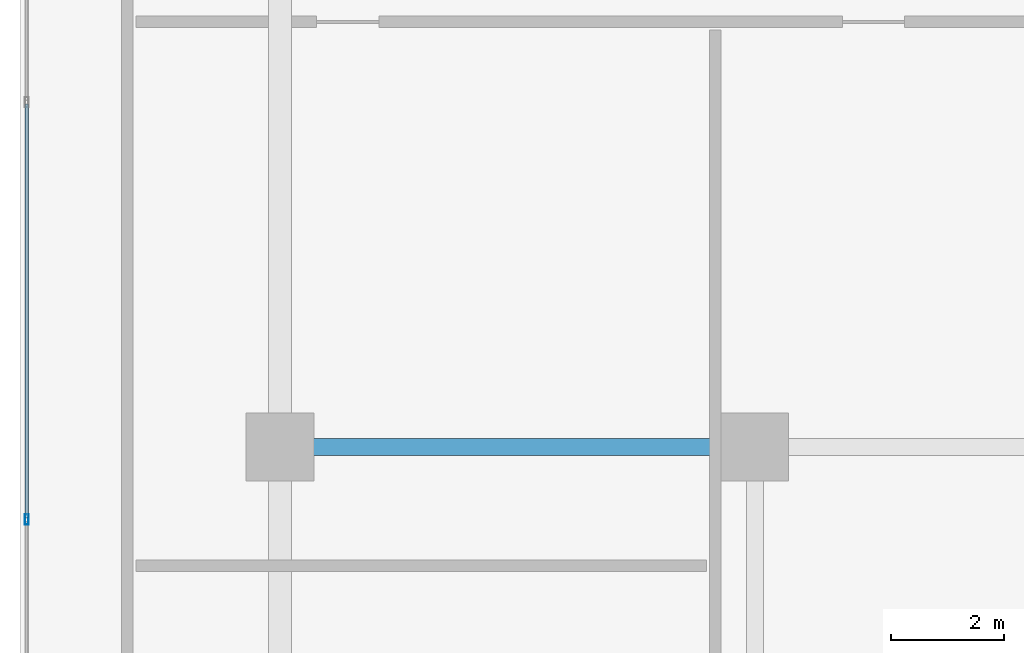
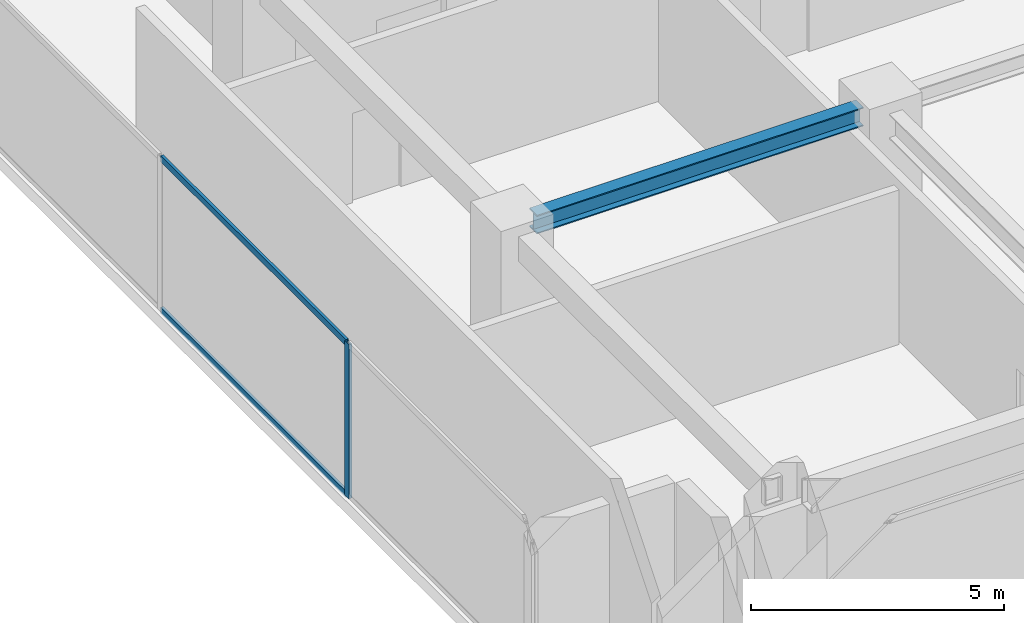
# One storey, part 4 of 19: 3 members, 1 beam, 1 element without a shape of its own.
"""IFC4 building model written with IfcOpenShell, lengths in metres."""

from ifc_helpers import new_model, si_unit, direction, frame, origin, origin_2d, place, context, subcontext, project, spatial, hollow_rectangle, i_section, extrude, source, transform, mapped, material, layer, layer_set, material_profile, profile_set, type_object, element, aggregate, save


model = new_model("IFC4")

# Units and contexts
model_context = context("Model", 3, precision=1e-05, world=origin(), true_north=direction((0.0, 1.0)))
body_context = subcontext(model_context, "Body", "Model", "MODEL_VIEW")
ifc_project = project(units=[si_unit("LENGTHUNIT", "METRE"), si_unit("AREAUNIT", "SQUARE_METRE"), si_unit("VOLUMEUNIT", "CUBIC_METRE"), si_unit("PLANEANGLEUNIT", "RADIAN"), si_unit("MASSUNIT", "GRAM", prefix="KILO")], contexts=[model_context])

# Site, building, storey
site_placement = place(None, origin())
site = spatial("IfcSite", under=ifc_project, at=site_placement, CompositionType="ELEMENT")
building_placement = place(site_placement, origin())
building = spatial("IfcBuilding", under=site, at=building_placement, Name="Sumidabori Civic Tower", CompositionType="ELEMENT")
storey_placement = place(building_placement, frame((0.0, 0.0, 293.60009765625)))
storey = spatial("IfcBuildingStorey", under=building, at=storey_placement, Name="L77", CompositionType="ELEMENT", Elevation=293.60009765625)

# Beam
ifc_material_1 = material(Name="Steel SN490", Category="steel")
ifc_material_profile_1 = material_profile(ifc_material_1, i_section(OverallWidth=0.300048828125, OverallDepth=0.449951171875, WebThickness=0.013916015625, FlangeThickness=0.02587890625, at=origin_2d()), Name="HE 450 B")
ifc_profile_set_1 = profile_set([ifc_material_profile_1], Name="Steel SN490")
beam_type = type_object("IfcBeamType", Name="BM-GIRD-450", PredefinedType="BEAM", material=ifc_profile_set_1)
shared_shape_1 = source(origin(), body_context, "Body", "SweptSolid", [
    extrude(i_section(OverallWidth=0.300048828125, OverallDepth=0.449951171875, WebThickness=0.013916015625, FlangeThickness=0.02587890625, at=origin_2d()), origin(), (0.0, 0.0, 1.0), 7.440185546875),
])
beam_placement = place(storey_placement, frame((-16.320068359375, 0.0, 4.114990234375), z_axis=(1.0, 0.0, 0.0), x_axis=(0.0, 1.0, 0.0)))
element("IfcBeam", 1, at=beam_placement, inside=storey, type_object=beam_type, Name="Primary Girder L77 GX-01", PredefinedType="BEAM", context=body_context, shape_type="MappedRepresentation", body=[
    mapped(shared_shape_1, transform((0.0, 0.0, 0.0), x_axis=(1.0, 0.0, 0.0), y_axis=(0.0, 1.0, 0.0), z_axis=(0.0, 0.0, 1.0), scale=1.0)),
])

# Curtain wall, members
ifc_material_2 = material(Name="Anodised Bronze Aluminium AW-6063-T6", Category="aluminium")
ifc_layer = layer(ifc_material_2, 0.179931640625, Name="Anodised Bronze Aluminium AW-6063-T6")
ifc_layer_set = layer_set([ifc_layer], Name="Anodised Bronze Aluminium AW-6063-T6")
curtain_wall_type = type_object("IfcCurtainWallType", Name="CW-SYS-6", PredefinedType="NOTDEFINED", material=ifc_layer_set)
curtain_wall_placement = place(storey_placement, origin())
curtain_wall = element("IfcCurtainWall", 2, at=curtain_wall_placement, inside=storey, type_object=curtain_wall_type, Name="Curtain Wall CW:L77:R10", PredefinedType="NOTDEFINED")
ifc_material_profile_2 = material_profile(ifc_material_2, hollow_rectangle(XDim=0.06494140625, YDim=0.14990234375, WallThickness=0.0048828125, at=origin_2d()), Name="ALU TRANSOM 150x65")
ifc_profile_set_2 = profile_set([ifc_material_profile_2], Name="Anodised Bronze Aluminium AW-6063-T6")
member_type_1 = type_object("IfcMemberType", Name="CW-TRN-150", PredefinedType="USERDEFINED", material=ifc_profile_set_2)
shared_shape_2 = source(origin(), body_context, "Body", "SweptSolid", [
    extrude(hollow_rectangle(XDim=0.06494140625, YDim=0.14990234375, WallThickness=0.0048828125, at=origin_2d()), origin(), (0.0, 0.0, 1.0), 7.31494140625),
])
member_1_placement = place(storey_placement, frame((-21.280029296875, 6.06494140625, 0.032470703125), z_axis=(0.0, -1.0, 0.0), x_axis=(1.0, 0.0, 0.0)))
member_1 = element("IfcMember", 3, at=member_1_placement, type_object=member_type_1, Name="CW-6 transom 3.1", ObjectType="TRANSOM", PredefinedType="USERDEFINED", context=body_context, shape_type="MappedRepresentation", body=[
    mapped(shared_shape_2, transform((0.0, 0.0, 0.0), x_axis=(1.0, 0.0, 0.0), y_axis=(0.0, 1.0, 0.0), z_axis=(0.0, 0.0, 1.0), scale=1.0)),
])
member_2_placement = place(storey_placement, frame((-21.280029296875, 6.06494140625, 3.6875), z_axis=(0.0, -1.0, 0.0), x_axis=(1.0, 0.0, 0.0)))
member_2 = element("IfcMember", 4, at=member_2_placement, type_object=member_type_1, Name="CW-6 transom 3.2", ObjectType="TRANSOM", PredefinedType="USERDEFINED", context=body_context, shape_type="MappedRepresentation", body=[
    mapped(shared_shape_2, transform((0.0, 0.0, 0.0), x_axis=(1.0, 0.0, 0.0), y_axis=(0.0, 1.0, 0.0), z_axis=(0.0, 0.0, 1.0), scale=1.0)),
])
ifc_material_profile_3 = material_profile(ifc_material_2, hollow_rectangle(XDim=0.070068359375, YDim=0.179931640625, WallThickness=0.006103515625, at=origin_2d()), Name="ALU MULLION 180x70")
ifc_profile_set_3 = profile_set([ifc_material_profile_3], Name="Anodised Bronze Aluminium AW-6063-T6")
member_type_2 = type_object("IfcMemberType", Name="CW-MUL-180", PredefinedType="MULLION", material=ifc_profile_set_3)
shared_shape_3 = source(origin(), body_context, "Body", "SweptSolid", [
    extrude(hollow_rectangle(XDim=0.070068359375, YDim=0.179931640625, WallThickness=0.006103515625, at=origin_2d()), origin(), (0.0, 0.0, 1.0), 3.719970703125),
])
member_3_placement = place(storey_placement, frame((-21.280029296875, -1.284912109375, 0.0), z_axis=(0.0, 0.0, 1.0), x_axis=(1.0, 0.0, 0.0)))
member_3 = element("IfcMember", 5, at=member_3_placement, type_object=member_type_2, Name="CW-6 mullion 4", PredefinedType="MULLION", context=body_context, shape_type="MappedRepresentation", body=[
    mapped(shared_shape_3, transform((0.0, 0.0, 0.0), x_axis=(1.0, 0.0, 0.0), y_axis=(0.0, 1.0, 0.0), z_axis=(0.0, 0.0, 1.0), scale=1.0)),
])
aggregate(curtain_wall, [member_3, member_1, member_2])

save(model, "model.ifc")
